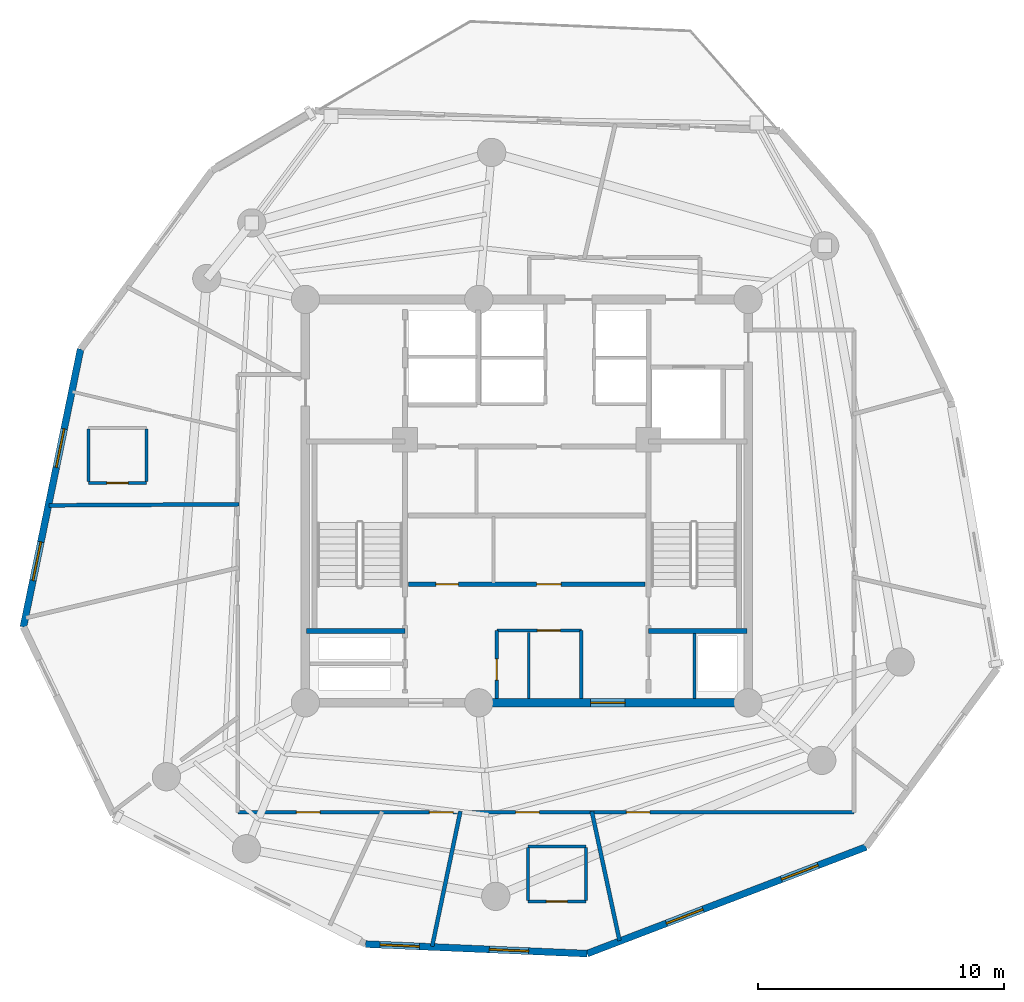
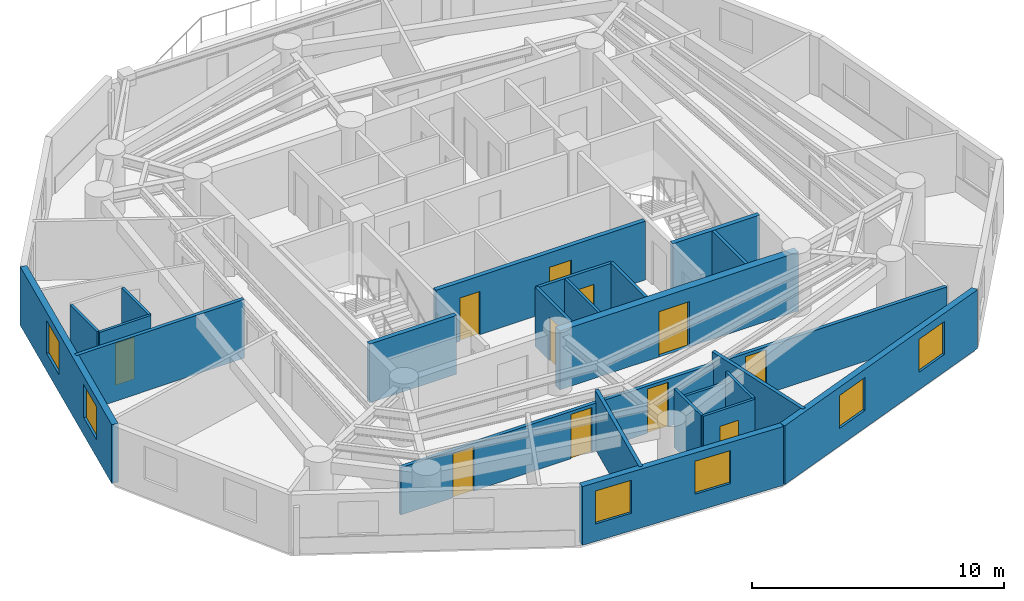
# One storey, part 3 of 8: 23 walls, 11 doors, 6 windows, 17 openings.
"""IFC4 building model written with IfcOpenShell, lengths in metres."""

from ifc_helpers import new_model, si_unit, direction, frame, frame_2d, origin, origin_with_axes, place, context, subcontext, project, spatial, rectangle, extrude, source, transform, mapped, material, layer, layer_set, type_object, element, fill, save


model = new_model("IFC4")

# Units and contexts
model_context = context("Model", 3, precision=1e-05, world=origin(), true_north=direction((0.0, 1.0)))
body_context = subcontext(model_context, "Body", "Model", "MODEL_VIEW")
ifc_project = project(units=[si_unit("LENGTHUNIT", "METRE"), si_unit("AREAUNIT", "SQUARE_METRE"), si_unit("VOLUMEUNIT", "CUBIC_METRE"), si_unit("PLANEANGLEUNIT", "RADIAN"), si_unit("MASSUNIT", "GRAM", prefix="KILO")], contexts=[model_context])

# Site, building, storey
site_placement = place(None, origin())
site = spatial("IfcSite", under=ifc_project, at=site_placement, CompositionType="ELEMENT")
building_placement = place(site_placement, origin())
building = spatial("IfcBuilding", under=site, at=building_placement, Name="Karkom Vertical University and Central Library", CompositionType="ELEMENT")
storey_placement = place(building_placement, frame((0.0, 0.0, 250.449951171875)))
storey = spatial("IfcBuildingStorey", under=building, at=storey_placement, Name="L74", CompositionType="ELEMENT", Elevation=250.449951171875)

# Wall, openings, windows
ifc_material_1 = material(Name="Brick-faced precast concrete C45/55", Category="masonry")
ifc_layer_1 = layer(ifc_material_1, 0.280029296875)
ifc_layer_set_1 = layer_set([ifc_layer_1], Name="Brick-faced precast concrete C45/55")
wall_type_1 = type_object("IfcWallType", Name="ENV-WL-BRK-280", PredefinedType="SOLIDWALL", material=ifc_layer_set_1)
wall_1_placement = place(storey_placement, frame((21.9501953125, 8.4892578125, 0.0), z_axis=(0.0, 0.0, 1.0), x_axis=(0.999077856383, -0.042935263879, 0.0)))
wall_1 = element("IfcWall", 1, at=wall_1_placement, inside=storey, type_object=wall_type_1, Name="Level 74 Brick-Faced Precast Facade Wall 02", PredefinedType="SOLIDWALL", context=body_context, shape_type="SweptSolid", body=[
    extrude(rectangle(XDim=9.0126953125, YDim=0.280029296875, at=frame_2d((4.50634765625, 0.0))), origin(), (0.0, 0.0, 1.0), 2.85009765625),
])
opening_1_placement = place(wall_1_placement, frame((0.585205078125, 0.0, 0.85009765625)))
opening_1 = element("IfcOpeningElement", 2, at=opening_1_placement, cuts=wall_1, Name="Opening WN-10", PredefinedType="OPENING", context=body_context, shape_type="SweptSolid", body=[
    extrude(rectangle(XDim=1.60009765625, YDim=1.60009765625, at=frame_2d((0.800048828125, 0.800048828125))), frame((0.0, 0.14990234375, 0.0), z_axis=(0.0, -1.0, 0.0), x_axis=(1.0, 0.0, 0.0)), (0.0, 0.0, 1.0), 0.300048828125),
])
opening_2_placement = place(wall_1_placement, frame((5.031494140625, 0.0, 0.85009765625)))
opening_2 = element("IfcOpeningElement", 3, at=opening_2_placement, cuts=wall_1, Name="Opening WN-10", PredefinedType="OPENING", context=body_context, shape_type="SweptSolid", body=[
    extrude(rectangle(XDim=1.60009765625, YDim=1.60009765625, at=frame_2d((0.800048828125, 0.800048828125))), frame((0.0, 0.14990234375, 0.0), z_axis=(0.0, -1.0, 0.0), x_axis=(1.0, 0.0, 0.0)), (0.0, 0.0, 1.0), 0.300048828125),
])
ifc_material_2 = material(Name="Aluminium thermal-break frame with solar-control IGU", Category="aluminium")
window_type = type_object("IfcWindowType", Name="ENV-WIN-WN-10", PartitioningType="SINGLE_PANEL", PredefinedType="WINDOW", material=ifc_material_2)
shared_shape_1 = source(origin_with_axes(), body_context, "Body", "SweptSolid", [
    extrude(rectangle(XDim=1.60009765625, YDim=1.60009765625, at=frame_2d((0.800048828125, 0.800048828125))), frame((0.0, 0.030029296875, 0.0), z_axis=(0.0, -1.0, 0.0), x_axis=(1.0, 0.0, 0.0)), (0.0, 0.0, 1.0), 0.06005859375),
])
window_1_placement = place(opening_1_placement, origin())
window_1 = element("IfcWindow", 4, at=window_1_placement, inside=storey, type_object=window_type, Name="Level 74 Punched Window 2.1", OverallHeight=1.60009765625, OverallWidth=1.60009765625, PartitioningType="SINGLE_PANEL", PredefinedType="WINDOW", context=body_context, shape_type="MappedRepresentation", body=[
    mapped(shared_shape_1, transform((0.0, 0.0, 0.0), scale=1.0)),
])
fill(opening_1, window_1)
window_2_placement = place(opening_2_placement, origin())
window_2 = element("IfcWindow", 5, at=window_2_placement, inside=storey, type_object=window_type, Name="Level 74 Punched Window 2.2", OverallHeight=1.60009765625, OverallWidth=1.60009765625, PartitioningType="SINGLE_PANEL", PredefinedType="WINDOW", context=body_context, shape_type="MappedRepresentation", body=[
    mapped(shared_shape_1, transform((0.0, 0.0, 0.0), scale=1.0)),
])
fill(opening_2, window_2)

wall_2_placement = place(storey_placement, frame((30.95458984375, 8.102294921875, 0.0), z_axis=(0.0, 0.0, 1.0), x_axis=(0.934050651189, 0.357140561984, 0.0)))
wall_2 = element("IfcWall", 6, at=wall_2_placement, inside=storey, type_object=wall_type_1, Name="Level 74 Brick-Faced Precast Facade Wall 03", PredefinedType="SOLIDWALL", context=body_context, shape_type="SweptSolid", body=[
    extrude(rectangle(XDim=12.14208984375, YDim=0.280029296875, at=frame_2d((6.071044921875, 0.0))), origin(), (0.0, 0.0, 1.0), 2.85009765625),
])
opening_3_placement = place(wall_2_placement, frame((3.44873046875, 0.0, 0.85009765625)))
opening_3 = element("IfcOpeningElement", 7, at=opening_3_placement, cuts=wall_2, Name="Opening WN-10", PredefinedType="OPENING", context=body_context, shape_type="SweptSolid", body=[
    extrude(rectangle(XDim=1.60009765625, YDim=1.60009765625, at=frame_2d((0.800048828125, 0.800048828125))), frame((0.0, 0.14990234375, 0.0), z_axis=(0.0, -1.0, 0.0), x_axis=(1.0, 0.0, 0.0)), (0.0, 0.0, 1.0), 0.300048828125),
])
opening_4_placement = place(wall_2_placement, frame((8.457763671875, 0.0, 0.85009765625)))
opening_4 = element("IfcOpeningElement", 8, at=opening_4_placement, cuts=wall_2, Name="Opening WN-10", PredefinedType="OPENING", context=body_context, shape_type="SweptSolid", body=[
    extrude(rectangle(XDim=1.60009765625, YDim=1.60009765625, at=frame_2d((0.800048828125, 0.800048828125))), frame((0.0, 0.14990234375, 0.0), z_axis=(0.0, -1.0, 0.0), x_axis=(1.0, 0.0, 0.0)), (0.0, 0.0, 1.0), 0.300048828125),
])
window_3_placement = place(opening_3_placement, origin())
window_3 = element("IfcWindow", 9, at=window_3_placement, inside=storey, type_object=window_type, Name="Level 74 Punched Window 3.1", OverallHeight=1.60009765625, OverallWidth=1.60009765625, PartitioningType="SINGLE_PANEL", PredefinedType="WINDOW", context=body_context, shape_type="MappedRepresentation", body=[
    mapped(shared_shape_1, transform((0.0, 0.0, 0.0), scale=1.0)),
])
fill(opening_3, window_3)
window_4_placement = place(opening_4_placement, origin())
window_4 = element("IfcWindow", 10, at=window_4_placement, inside=storey, type_object=window_type, Name="Level 74 Punched Window 3.2", OverallHeight=1.60009765625, OverallWidth=1.60009765625, PartitioningType="SINGLE_PANEL", PredefinedType="WINDOW", context=body_context, shape_type="MappedRepresentation", body=[
    mapped(shared_shape_1, transform((0.0, 0.0, 0.0), scale=1.0)),
])
fill(opening_4, window_4)

wall_3_placement = place(storey_placement, frame((10.359375, 32.680908203125, 0.0), z_axis=(0.0, 0.0, 1.0), x_axis=(-0.201738930334, -0.979439331448, 0.0)))
wall_3 = element("IfcWall", 11, at=wall_3_placement, inside=storey, type_object=wall_type_1, Name="Level 74 Brick-Faced Precast Facade Wall 11", PredefinedType="SOLIDWALL", context=body_context, shape_type="SweptSolid", body=[
    extrude(rectangle(XDim=11.532958984375, YDim=0.280029296875, at=frame_2d((5.7666015625, 0.0))), origin(), (0.0, 0.0, 1.0), 2.85009765625),
])
opening_5_placement = place(wall_3_placement, frame((3.30908203125, 0.0, 0.85009765625)))
opening_5 = element("IfcOpeningElement", 12, at=opening_5_placement, cuts=wall_3, Name="Opening WN-10", PredefinedType="OPENING", context=body_context, shape_type="SweptSolid", body=[
    extrude(rectangle(XDim=1.60009765625, YDim=1.60009765625, at=frame_2d((0.800048828125, 0.800048828125))), frame((0.0, 0.14990234375, 0.0), z_axis=(0.0, -1.0, 0.0), x_axis=(1.0, 0.0, 0.0)), (0.0, 0.0, 1.0), 0.300048828125),
])
opening_6_placement = place(wall_3_placement, frame((8.003662109375, 0.0, 0.85009765625)))
opening_6 = element("IfcOpeningElement", 13, at=opening_6_placement, cuts=wall_3, Name="Opening WN-10", PredefinedType="OPENING", context=body_context, shape_type="SweptSolid", body=[
    extrude(rectangle(XDim=1.60009765625, YDim=1.60009765625, at=frame_2d((0.800048828125, 0.800048828125))), frame((0.0, 0.14990234375, 0.0), z_axis=(0.0, -1.0, 0.0), x_axis=(1.0, 0.0, 0.0)), (0.0, 0.0, 1.0), 0.300048828125),
])
window_5_placement = place(opening_5_placement, origin())
window_5 = element("IfcWindow", 14, at=window_5_placement, inside=storey, type_object=window_type, Name="Level 74 Punched Window 11.1", OverallHeight=1.60009765625, OverallWidth=1.60009765625, PartitioningType="SINGLE_PANEL", PredefinedType="WINDOW", context=body_context, shape_type="MappedRepresentation", body=[
    mapped(shared_shape_1, transform((0.0, 0.0, 0.0), scale=1.0)),
])
fill(opening_5, window_5)
window_6_placement = place(opening_6_placement, origin())
window_6 = element("IfcWindow", 15, at=window_6_placement, inside=storey, type_object=window_type, Name="Level 74 Punched Window 11.2", OverallHeight=1.60009765625, OverallWidth=1.60009765625, PartitioningType="SINGLE_PANEL", PredefinedType="WINDOW", context=body_context, shape_type="MappedRepresentation", body=[
    mapped(shared_shape_1, transform((0.0, 0.0, 0.0), scale=1.0)),
])
fill(opening_6, window_6)

# Wall, openings, doors
ifc_material_3 = material(Name="Insulated metal-stud drywall 160mm", Category="gypsum")
ifc_layer_2 = layer(ifc_material_3, 0.159912109375)
ifc_layer_set_2 = layer_set([ifc_layer_2], Name="Insulated metal-stud drywall 160mm")
wall_type_2 = type_object("IfcWallType", Name="INT-WL-COR-160", PredefinedType="PARTITIONING", material=ifc_layer_set_2)
wall_4_placement = place(storey_placement, frame((41.800048828125, 13.85009765625, 0.0), z_axis=(0.0, 0.0, 1.0), x_axis=(-1.0, 0.0, 0.0)))
wall_4 = element("IfcWall", 16, at=wall_4_placement, inside=storey, type_object=wall_type_2, Name="Level 74 Interior Partition Wall L74-CORW-CW-001", PredefinedType="PARTITIONING", context=body_context, shape_type="SweptSolid", body=[
    extrude(rectangle(XDim=25.050048828125, YDim=0.159912109375, at=frame_2d((12.52490234375, 0.0))), origin(), (0.0, 0.0, 1.0), 2.300048828125),
])
opening_7_placement = place(wall_4_placement, frame((12.791015625, 0.0, 0.0)))
opening_7 = element("IfcOpeningElement", 17, at=opening_7_placement, cuts=wall_4, Name="Opening FD-RM2", PredefinedType="OPENING", context=body_context, shape_type="SweptSolid", body=[
    extrude(rectangle(XDim=0.9599609375, YDim=2.14990234375, at=frame_2d((0.47998046875, 1.074951171875))), frame((0.0, 0.08984375, 0.0), z_axis=(0.0, -1.0, 0.0), x_axis=(1.0, 0.0, 0.0)), (0.0, 0.0, 1.0), 0.179931640625),
])
opening_8_placement = place(wall_4_placement, frame((21.70361328125, 0.0, 0.0)))
opening_8 = element("IfcOpeningElement", 18, at=opening_8_placement, cuts=wall_4, Name="Opening FD-RM2", PredefinedType="OPENING", context=body_context, shape_type="SweptSolid", body=[
    extrude(rectangle(XDim=0.9599609375, YDim=2.14990234375, at=frame_2d((0.47998046875, 1.074951171875))), frame((0.0, 0.08984375, 0.0), z_axis=(0.0, -1.0, 0.0), x_axis=(1.0, 0.0, 0.0)), (0.0, 0.0, 1.0), 0.179931640625),
])
opening_9_placement = place(wall_4_placement, frame((16.297607421875, 0.0, 0.0)))
opening_9 = element("IfcOpeningElement", 19, at=opening_9_placement, cuts=wall_4, Name="Opening FD-RM2", PredefinedType="OPENING", context=body_context, shape_type="SweptSolid", body=[
    extrude(rectangle(XDim=0.9599609375, YDim=2.14990234375, at=frame_2d((0.47998046875, 1.074951171875))), frame((0.0, 0.08984375, 0.0), z_axis=(0.0, -1.0, 0.0), x_axis=(1.0, 0.0, 0.0)), (0.0, 0.0, 1.0), 0.179931640625),
])
opening_10_placement = place(wall_4_placement, frame((8.29248046875, 0.0, 0.0)))
opening_10 = element("IfcOpeningElement", 20, at=opening_10_placement, cuts=wall_4, Name="Opening FD-RM2", PredefinedType="OPENING", context=body_context, shape_type="SweptSolid", body=[
    extrude(rectangle(XDim=0.9599609375, YDim=2.14990234375, at=frame_2d((0.47998046875, 1.074951171875))), frame((0.0, 0.08984375, 0.0), z_axis=(0.0, -1.0, 0.0), x_axis=(1.0, 0.0, 0.0)), (0.0, 0.0, 1.0), 0.179931640625),
])
ifc_material_4 = material(Name="Fire-rated oak veneer door", Category="wood")
door_type_1 = type_object("IfcDoorType", Name="INT-DR-FRM2", OperationType="NOTDEFINED", PredefinedType="DOOR", material=ifc_material_4)
shared_shape_2 = source(origin_with_axes(), body_context, "Body", "SweptSolid", [
    extrude(rectangle(XDim=0.9599609375, YDim=2.14990234375, at=frame_2d((0.47998046875, 1.074951171875))), frame((0.0, 0.02490234375, 0.0), z_axis=(0.0, -1.0, 0.0), x_axis=(1.0, 0.0, 0.0)), (0.0, 0.0, 1.0), 0.050048828125),
])
door_1_placement = place(opening_7_placement, origin())
door_1 = element("IfcDoor", 21, at=door_1_placement, inside=storey, type_object=door_type_1, Name="Level 74 Room Entry Door 408", OperationType="SINGLE_SWING_LEFT", OverallHeight=2.14990234375, OverallWidth=0.9599609375, PredefinedType="DOOR", context=body_context, shape_type="MappedRepresentation", body=[
    mapped(shared_shape_2, transform((0.0, 0.0, 0.0), scale=1.0)),
])
fill(opening_7, door_1)
door_2_placement = place(opening_8_placement, origin())
door_2 = element("IfcDoor", 22, at=door_2_placement, inside=storey, type_object=door_type_1, Name="Level 74 Room Entry Door 302", OperationType="SINGLE_SWING_LEFT", OverallHeight=2.14990234375, OverallWidth=0.9599609375, PredefinedType="DOOR", context=body_context, shape_type="MappedRepresentation", body=[
    mapped(shared_shape_2, transform((0.0, 0.0, 0.0), scale=1.0)),
])
fill(opening_8, door_2)
door_3_placement = place(opening_9_placement, origin())
door_3 = element("IfcDoor", 23, at=door_3_placement, inside=storey, type_object=door_type_1, Name="Level 74 Room Entry Door 303", OperationType="SINGLE_SWING_RIGHT", OverallHeight=2.14990234375, OverallWidth=0.9599609375, PredefinedType="DOOR", context=body_context, shape_type="MappedRepresentation", body=[
    mapped(shared_shape_2, transform((0.0, 0.0, 0.0), scale=1.0)),
])
fill(opening_9, door_3)
door_4_placement = place(opening_10_placement, origin())
door_4 = element("IfcDoor", 24, at=door_4_placement, inside=storey, type_object=door_type_1, Name="Level 74 Room Entry Door 305", OperationType="SINGLE_SWING_LEFT", OverallHeight=2.14990234375, OverallWidth=0.9599609375, PredefinedType="DOOR", context=body_context, shape_type="MappedRepresentation", body=[
    mapped(shared_shape_2, transform((0.0, 0.0, 0.0), scale=1.0)),
])
fill(opening_10, door_4)

# Walls
wall_5_placement = place(storey_placement, frame((9.077880859375, 26.327880859375, 0.0), z_axis=(0.0, 0.0, 1.0), x_axis=(0.999983242382, 0.005789210166, 0.0)))
element("IfcWall", 25, at=wall_5_placement, inside=storey, type_object=wall_type_2, Name="Level 74 Interior Partition Wall L74-PW-002", PredefinedType="PARTITIONING", context=body_context, shape_type="SweptSolid", body=[
    extrude(rectangle(XDim=7.717529296875, YDim=0.159912109375, at=frame_2d((3.85888671875, 0.0))), origin(), (0.0, 0.0, 1.0), 2.85009765625),
])
wall_6_placement = place(storey_placement, frame((25.802490234375, 13.89404296875, 0.0), z_axis=(0.0, 0.0, 1.0), x_axis=(-0.204730419628, -0.978818397497, 0.0)))
element("IfcWall", 26, at=wall_6_placement, inside=storey, type_object=wall_type_2, Name="Level 74 Interior Partition Wall L74-PW-006", PredefinedType="PARTITIONING", context=body_context, shape_type="SweptSolid", body=[
    extrude(rectangle(XDim=5.6142578125, YDim=0.159912109375, at=frame_2d((2.80712890625, 0.0))), origin(), (0.0, 0.0, 1.0), 2.85009765625),
])
wall_7_placement = place(storey_placement, frame((31.142578125, 13.89404296875, 0.0), z_axis=(0.0, 0.0, 1.0), x_axis=(0.209708802078, -0.9777638868, 0.0)))
element("IfcWall", 27, at=wall_7_placement, inside=storey, type_object=wall_type_2, Name="Level 74 Interior Partition Wall L74-PW-007", PredefinedType="PARTITIONING", context=body_context, shape_type="SweptSolid", body=[
    extrude(rectangle(XDim=5.380859375, YDim=0.159912109375, at=frame_2d((2.6904296875, 0.0))), origin(), (0.0, 0.0, 1.0), 2.85009765625),
])
ifc_material_5 = material(Name="Moisture-resistant drywall 120mm", Category="gypsum")
ifc_layer_3 = layer(ifc_material_5, 0.1201171875)
ifc_layer_set_3 = layer_set([ifc_layer_3], Name="Moisture-resistant drywall 120mm")
wall_type_3 = type_object("IfcWallType", Name="INT-WL-INT-120", PredefinedType="PARTITIONING", material=ifc_layer_set_3)
wall_8_placement = place(storey_placement, frame((28.580078125, 18.48193359375, 0.0), z_axis=(0.0, 0.0, 1.0), x_axis=(0.0, 1.0, 0.0)))
element("IfcWall", 28, at=wall_8_placement, inside=storey, type_object=wall_type_3, Name="Level 74 Interior Partition Wall L74-CW-K2-DIV", PredefinedType="PARTITIONING", context=body_context, shape_type="SweptSolid", body=[
    extrude(rectangle(XDim=2.687255859375, YDim=0.1201171875, at=frame_2d((1.34375, 0.0))), origin(), (0.0, 0.0, 1.0), 2.85009765625),
])

# Wall, opening, door
ifc_layer_4 = layer(ifc_material_5, 0.1201171875)
ifc_layer_set_4 = layer_set([ifc_layer_4], Name="Moisture-resistant drywall 120mm")
wall_type_4 = type_object("IfcWallType", Name="INT-WL-INT-120F", PredefinedType="PARTITIONING", material=ifc_layer_set_4)
wall_9_placement = place(storey_placement, frame((10.677001953125, 27.240966796875, 0.0), z_axis=(0.0, 0.0, 1.0), x_axis=(1.0, 0.0, 0.0)))
wall_9 = element("IfcWall", 29, at=wall_9_placement, inside=storey, type_object=wall_type_4, Name="Level 74 Interior Partition Wall L74-ENS-50-S", PredefinedType="PARTITIONING", context=body_context, shape_type="SweptSolid", body=[
    extrude(rectangle(XDim=2.360107421875, YDim=0.1201171875, at=frame_2d((1.18017578125, 0.0))), origin(), (0.0, 0.0, 1.0), 2.85009765625),
])
opening_11_placement = place(wall_9_placement, frame((0.75, 0.0, 0.0)))
opening_11 = element("IfcOpeningElement", 30, at=opening_11_placement, cuts=wall_9, Name="Opening D-BTH2", PredefinedType="OPENING", context=body_context, shape_type="SweptSolid", body=[
    extrude(rectangle(XDim=0.860107421875, YDim=2.0400390625, at=frame_2d((0.43017578125, 1.02001953125))), frame((0.0, 0.070068359375, 0.0), z_axis=(0.0, -1.0, 0.0), x_axis=(1.0, 0.0, 0.0)), (0.0, 0.0, 1.0), 0.14013671875),
])
ifc_material_6 = material(Name="Moisture-resistant oak door", Category="wood")
door_type_2 = type_object("IfcDoorType", Name="INT-DR-DBTH2", OperationType="NOTDEFINED", PredefinedType="DOOR", material=ifc_material_6)
shared_shape_3 = source(origin_with_axes(), body_context, "Body", "SweptSolid", [
    extrude(rectangle(XDim=0.860107421875, YDim=2.0400390625, at=frame_2d((0.43017578125, 1.02001953125))), frame((0.0, 0.02490234375, 0.0), z_axis=(0.0, -1.0, 0.0), x_axis=(1.0, 0.0, 0.0)), (0.0, 0.0, 1.0), 0.050048828125),
])
door_5_placement = place(opening_11_placement, origin())
door_5 = element("IfcDoor", 31, at=door_5_placement, inside=storey, type_object=door_type_2, Name="Level 74 En-Suite Bathroom Door 50", OperationType="SINGLE_SWING_RIGHT", OverallHeight=2.0400390625, OverallWidth=0.860107421875, PredefinedType="DOOR", context=body_context, shape_type="MappedRepresentation", body=[
    mapped(shared_shape_3, transform((0.0, 0.0, 0.0), scale=1.0)),
])
fill(opening_11, door_5)

wall_10_placement = place(storey_placement, frame((28.5439453125, 10.220947265625, 0.0), z_axis=(0.0, 0.0, 1.0), x_axis=(1.0, 0.0, 0.0)))
wall_10 = element("IfcWall", 32, at=wall_10_placement, inside=storey, type_object=wall_type_4, Name="Level 74 Interior Partition Wall L74-ENS-44-S", PredefinedType="PARTITIONING", context=body_context, shape_type="SweptSolid", body=[
    extrude(rectangle(XDim=2.360107421875, YDim=0.1201171875, at=frame_2d((1.18017578125, 0.0))), origin(), (0.0, 0.0, 1.0), 2.85009765625),
])
opening_12_placement = place(wall_10_placement, frame((0.75, 0.0, 0.0)))
opening_12 = element("IfcOpeningElement", 33, at=opening_12_placement, cuts=wall_10, Name="Opening D-BATH", PredefinedType="OPENING", context=body_context, shape_type="SweptSolid", body=[
    extrude(rectangle(XDim=0.860107421875, YDim=2.10009765625, at=frame_2d((0.43017578125, 1.050048828125))), frame((0.0, 0.070068359375, 0.0), z_axis=(0.0, -1.0, 0.0), x_axis=(1.0, 0.0, 0.0)), (0.0, 0.0, 1.0), 0.14013671875),
])
door_type_3 = type_object("IfcDoorType", Name="INT-DR-BATH", OperationType="NOTDEFINED", PredefinedType="DOOR", material=ifc_material_6)
shared_shape_4 = source(origin_with_axes(), body_context, "Body", "SweptSolid", [
    extrude(rectangle(XDim=0.860107421875, YDim=2.10009765625, at=frame_2d((0.43017578125, 1.050048828125))), frame((0.0, 0.02490234375, 0.0), z_axis=(0.0, -1.0, 0.0), x_axis=(1.0, 0.0, 0.0)), (0.0, 0.0, 1.0), 0.050048828125),
])
door_6_placement = place(opening_12_placement, origin())
door_6 = element("IfcDoor", 34, at=door_6_placement, inside=storey, type_object=door_type_3, Name="Level 74 En-Suite Bathroom Door 44", OperationType="SINGLE_SWING_RIGHT", OverallHeight=2.10009765625, OverallWidth=0.860107421875, PredefinedType="DOOR", context=body_context, shape_type="MappedRepresentation", body=[
    mapped(shared_shape_4, transform((0.0, 0.0, 0.0), scale=1.0)),
])
fill(opening_12, door_6)

# Walls
wall_11_placement = place(storey_placement, frame((30.904052734375, 12.4609375, 0.0), z_axis=(0.0, 0.0, 1.0), x_axis=(-1.0, 0.0, 0.0)))
element("IfcWall", 35, at=wall_11_placement, inside=storey, type_object=wall_type_4, Name="Level 74 Interior Partition Wall L74-ENS-44-N", PredefinedType="PARTITIONING", context=body_context, shape_type="SweptSolid", body=[
    extrude(rectangle(XDim=2.360107421875, YDim=0.1201171875, at=frame_2d((1.18017578125, 0.0))), origin(), (0.0, 0.0, 1.0), 2.300048828125),
])
for number, where, z_axis, x_axis, name in (
    (36, (13.037109375, 27.291015625, 0.0), (0.0, 0.0, 1.0), (0.0, 1.0, 0.0), "Level 74 Interior Partition Wall L74-ENS-50-E"),
    (37, (10.677001953125, 29.430908203125, 0.0), (0.0, 0.0, 1.0), (0.0, -1.0, 0.0), "Level 74 Interior Partition Wall L74-ENS-50-W"),
    (38, (30.904052734375, 10.27099609375, 0.0), (0.0, 0.0, 1.0), (0.0, 1.0, 0.0), "Level 74 Interior Partition Wall L74-ENS-44-E"),
    (39, (28.5439453125, 12.410888671875, 0.0), (0.0, 0.0, 1.0), (0.0, -1.0, 0.0), "Level 74 Interior Partition Wall L74-ENS-44-W"),
):
    element("IfcWall", number, at=place(storey_placement, frame(where, z_axis=z_axis, x_axis=x_axis)), inside=storey, type_object=wall_type_4, Name=name, PredefinedType="PARTITIONING", context=body_context, shape_type="SweptSolid", body=[
        extrude(rectangle(XDim=2.139892578125, YDim=0.1201171875, at=frame_2d((1.06982421875, 0.0))), origin(), (0.0, 0.0, 1.0), 2.85009765625),
    ])

# Wall, opening, door
ifc_material_7 = material(Name="Metal-stud gypsum partition 140mm", Category="gypsum")
ifc_layer_5 = layer(ifc_material_7, 0.139892578125)
ifc_layer_set_5 = layer_set([ifc_layer_5], Name="Metal-stud gypsum partition 140mm")
wall_type_5 = type_object("IfcWallType", Name="INT-WL-SUB-140", PredefinedType="PARTITIONING", material=ifc_layer_set_5)
wall_12_placement = place(storey_placement, frame((27.280029296875, 21.239990234375, 0.0), z_axis=(0.0, 0.0, 1.0), x_axis=(1.0, 0.0, 0.0)))
wall_12 = element("IfcWall", 40, at=wall_12_placement, inside=storey, type_object=wall_type_5, Name="Level 74 Interior Partition Wall L74-CW-KBAY-N", PredefinedType="PARTITIONING", context=body_context, shape_type="SweptSolid", body=[
    extrude(rectangle(XDim=3.43994140625, YDim=0.139892578125, at=frame_2d((1.719970703125, 0.0))), origin(), (0.0, 0.0, 1.0), 2.85009765625),
])
opening_13_placement = place(wall_12_placement, frame((1.64990234375, 0.0, 0.0)))
opening_13 = element("IfcOpeningElement", 41, at=opening_13_placement, cuts=wall_12, Name="Opening D-WC1", PredefinedType="OPENING", context=body_context, shape_type="SweptSolid", body=[
    extrude(rectangle(XDim=0.93994140625, YDim=2.10009765625, at=frame_2d((0.469970703125, 1.050048828125))), frame((0.0, 0.080078125, 0.0), z_axis=(0.0, -1.0, 0.0), x_axis=(1.0, 0.0, 0.0)), (0.0, 0.0, 1.0), 0.159912109375),
])
ifc_material_8 = material(Name="Fire-rated laminate moisture-resistant door", Category="wood")
door_type_4 = type_object("IfcDoorType", Name="INT-DR-WC1", OperationType="NOTDEFINED", PredefinedType="DOOR", material=ifc_material_8)
shared_shape_5 = source(origin_with_axes(), body_context, "Body", "SweptSolid", [
    extrude(rectangle(XDim=0.93994140625, YDim=2.10009765625, at=frame_2d((0.469970703125, 1.050048828125))), frame((0.0, 0.02490234375, 0.0), z_axis=(0.0, -1.0, 0.0), x_axis=(1.0, 0.0, 0.0)), (0.0, 0.0, 1.0), 0.050048828125),
])
door_7_placement = place(opening_13_placement, origin())
door_7 = element("IfcDoor", 42, at=door_7_placement, inside=storey, type_object=door_type_4, Name="Level 74 Staff WC Door", OperationType="SINGLE_SWING_RIGHT", OverallHeight=2.10009765625, OverallWidth=0.93994140625, PredefinedType="DOOR", context=body_context, shape_type="MappedRepresentation", body=[
    mapped(shared_shape_5, transform((0.0, 0.0, 0.0), scale=1.0)),
])
fill(opening_13, door_7)

wall_13_placement = place(storey_placement, frame((27.280029296875, 18.48193359375, 0.0), z_axis=(0.0, 0.0, 1.0), x_axis=(0.0, 1.0, 0.0)))
wall_13 = element("IfcWall", 43, at=wall_13_placement, inside=storey, type_object=wall_type_5, Name="Level 74 Interior Partition Wall L74-CW-KBAY-W", PredefinedType="PARTITIONING", context=body_context, shape_type="SweptSolid", body=[
    extrude(rectangle(XDim=2.758056640625, YDim=0.139892578125, at=frame_2d((1.37890625, 0.0))), origin(), (0.0, 0.0, 1.0), 2.85009765625),
])
opening_14_placement = place(wall_13_placement, frame((0.739990234375, 0.0, 0.0)))
opening_14 = element("IfcOpeningElement", 44, at=opening_14_placement, cuts=wall_13, Name="Opening D-BATH", PredefinedType="OPENING", context=body_context, shape_type="SweptSolid", body=[
    extrude(rectangle(XDim=0.860107421875, YDim=2.10009765625, at=frame_2d((0.43017578125, 1.050048828125))), frame((0.0, 0.080078125, 0.0), z_axis=(0.0, -1.0, 0.0), x_axis=(1.0, 0.0, 0.0)), (0.0, 0.0, 1.0), 0.159912109375),
])
door_8_placement = place(opening_14_placement, origin())
door_8 = element("IfcDoor", 45, at=door_8_placement, inside=storey, type_object=door_type_3, Name="Level 74 Cleaners Store Door", OperationType="SINGLE_SWING_LEFT", OverallHeight=2.10009765625, OverallWidth=0.860107421875, PredefinedType="DOOR", context=body_context, shape_type="MappedRepresentation", body=[
    mapped(shared_shape_4, transform((0.0, 0.0, 0.0), scale=1.0)),
])
fill(opening_14, door_8)

# Walls
wall_14_placement = place(storey_placement, frame((30.719970703125, 18.48193359375, 0.0), z_axis=(0.0, 0.0, 1.0), x_axis=(0.0, 1.0, 0.0)))
element("IfcWall", 46, at=wall_14_placement, inside=storey, type_object=wall_type_5, Name="Level 74 Interior Partition Wall L74-CW-KBAY-E", PredefinedType="PARTITIONING", context=body_context, shape_type="SweptSolid", body=[
    extrude(rectangle(XDim=2.758056640625, YDim=0.139892578125, at=frame_2d((1.37890625, 0.0))), origin(), (0.0, 0.0, 1.0), 2.85009765625),
])
ifc_layer_6 = layer(ifc_material_7, 0.139892578125)
ifc_layer_set_6 = layer_set([ifc_layer_6], Name="Metal-stud gypsum partition 140mm")
wall_type_6 = type_object("IfcWallType", Name="INT-WL-SUB-140H", PredefinedType="PARTITIONING", material=ifc_layer_set_6)
wall_15_placement = place(storey_placement, frame((35.320068359375, 18.48193359375, 0.0), z_axis=(0.0, 0.0, 1.0), x_axis=(0.0, 1.0, 0.0)))
element("IfcWall", 47, at=wall_15_placement, inside=storey, type_object=wall_type_6, Name="Level 74 Interior Partition Wall L74-CW-RIS-E", PredefinedType="PARTITIONING", context=body_context, shape_type="SweptSolid", body=[
    extrude(rectangle(XDim=2.629150390625, YDim=0.139892578125, at=frame_2d((1.314453125, 0.0))), origin(), (0.0, 0.0, 1.0), 2.85009765625),
])

# Wall, opening, door
ifc_material_9 = material(Name="Concrete C45/55", Category="concrete")
ifc_layer_7 = layer(ifc_material_9, 0.35009765625)
ifc_layer_set_7 = layer_set([ifc_layer_7], Name="Concrete C45/55")
wall_type_7 = type_object("IfcWallType", Name="STR-WL-CW-350", PredefinedType="SHEAR", material=ifc_layer_set_7)
wall_16_placement = place(storey_placement, frame((26.550048828125, 18.300048828125, 0.0), z_axis=(0.0, 0.0, 1.0), x_axis=(1.0, 0.0, 0.0)))
wall_16 = element("IfcWall", 48, at=wall_16_placement, inside=storey, type_object=wall_type_7, Name="Level 74 Central Core Shear Wall SW2", PredefinedType="SHEAR", context=body_context, shape_type="SweptSolid", body=[
    extrude(rectangle(XDim=10.949951171875, YDim=0.35009765625, at=frame_2d((5.47509765625, 0.0))), origin(), (0.0, 0.0, 1.0), 2.85009765625),
])
opening_15_placement = place(wall_16_placement, frame((4.550048828125, 0.0, 0.0)))
opening_15 = element("IfcOpeningElement", 49, at=opening_15_placement, cuts=wall_16, Name="Opening FD-CLB", PredefinedType="OPENING", context=body_context, shape_type="SweptSolid", body=[
    extrude(rectangle(XDim=1.39990234375, YDim=2.199951171875, at=frame_2d((0.699951171875, 1.10009765625))), frame((0.0, 0.18505859375, 0.0), z_axis=(0.0, -1.0, 0.0), x_axis=(1.0, 0.0, 0.0)), (0.0, 0.0, 1.0), 0.3701171875),
])
ifc_material_10 = material(Name="Painted steel fire door", Category="steel")
door_type_5 = type_object("IfcDoorType", Name="INT-DR-CLB", OperationType="DOUBLE_DOOR_SINGLE_SWING", PredefinedType="DOOR", material=ifc_material_10)
shared_shape_6 = source(origin_with_axes(), body_context, "Body", "SweptSolid", [
    extrude(rectangle(XDim=1.39990234375, YDim=2.199951171875, at=frame_2d((0.699951171875, 1.10009765625))), frame((0.0, 0.02490234375, 0.0), z_axis=(0.0, -1.0, 0.0), x_axis=(1.0, 0.0, 0.0)), (0.0, 0.0, 1.0), 0.050048828125),
])
door_9_placement = place(opening_15_placement, origin())
door_9 = element("IfcDoor", 50, at=door_9_placement, inside=storey, type_object=door_type_5, Name="Level 74 South Core Lobby East Exit Door", OperationType="DOUBLE_DOOR_SINGLE_SWING", OverallHeight=2.199951171875, OverallWidth=1.39990234375, PredefinedType="DOOR", context=body_context, shape_type="MappedRepresentation", body=[
    mapped(shared_shape_6, transform((0.0, 0.0, 0.0), scale=1.0)),
])
fill(opening_15, door_9)

# Wall, openings, doors
ifc_layer_8 = layer(ifc_material_9, 0.199951171875)
ifc_layer_set_8 = layer_set([ifc_layer_8], Name="Concrete C45/55")
wall_type_8 = type_object("IfcWallType", Name="STR-WL-ST-200", PredefinedType="SHEAR", material=ifc_layer_set_8)
wall_17_placement = place(storey_placement, frame((23.699951171875, 23.1201171875, 0.0), z_axis=(0.0, 0.0, 1.0), x_axis=(1.0, 0.0, 0.0)))
wall_17 = element("IfcWall", 51, at=wall_17_placement, inside=storey, type_object=wall_type_8, Name="Level 74 Core Shaft Wall L74-CW-B1-S", PredefinedType="SHEAR", context=body_context, shape_type="SweptSolid", body=[
    extrude(rectangle(XDim=9.60009765625, YDim=0.199951171875, at=frame_2d((4.800048828125, 0.0))), origin(), (0.0, 0.0, 1.0), 2.85009765625),
])
opening_16_placement = place(wall_17_placement, frame((1.10009765625, 0.0, 0.0)))
opening_16 = element("IfcOpeningElement", 52, at=opening_16_placement, cuts=wall_17, Name="Opening D-SVC1", PredefinedType="OPENING", context=body_context, shape_type="SweptSolid", body=[
    extrude(rectangle(XDim=0.919921875, YDim=2.10009765625, at=frame_2d((0.4599609375, 1.050048828125))), frame((0.0, 0.10986328125, 0.0), z_axis=(0.0, -1.0, 0.0), x_axis=(1.0, 0.0, 0.0)), (0.0, 0.0, 1.0), 0.219970703125),
])
opening_17_placement = place(wall_17_placement, frame((5.199951171875, 0.0, 0.0)))
opening_17 = element("IfcOpeningElement", 53, at=opening_17_placement, cuts=wall_17, Name="Opening D-STR1", PredefinedType="OPENING", context=body_context, shape_type="SweptSolid", body=[
    extrude(rectangle(XDim=1.0, YDim=2.14990234375, at=frame_2d((0.5, 1.074951171875))), frame((0.0, 0.10986328125, 0.0), z_axis=(0.0, -1.0, 0.0), x_axis=(1.0, 0.0, 0.0)), (0.0, 0.0, 1.0), 0.219970703125),
])
ifc_material_11 = material(Name="Painted timber service door", Category="wood")
door_type_6 = type_object("IfcDoorType", Name="INT-DR-SVC1", OperationType="NOTDEFINED", PredefinedType="DOOR", material=ifc_material_11)
shared_shape_7 = source(origin_with_axes(), body_context, "Body", "SweptSolid", [
    extrude(rectangle(XDim=0.919921875, YDim=2.10009765625, at=frame_2d((0.4599609375, 1.050048828125))), frame((0.0, 0.02490234375, 0.0), z_axis=(0.0, -1.0, 0.0), x_axis=(1.0, 0.0, 0.0)), (0.0, 0.0, 1.0), 0.050048828125),
])
door_10_placement = place(opening_16_placement, origin())
door_10 = element("IfcDoor", 54, at=door_10_placement, inside=storey, type_object=door_type_6, Name="Level 74 B1 West Store Door", OperationType="SINGLE_SWING_LEFT", OverallHeight=2.10009765625, OverallWidth=0.919921875, PredefinedType="DOOR", context=body_context, shape_type="MappedRepresentation", body=[
    mapped(shared_shape_7, transform((0.0, 0.0, 0.0), scale=1.0)),
])
fill(opening_16, door_10)
ifc_material_12 = material(Name="Solid-core hardwood fire door", Category="wood")
door_type_7 = type_object("IfcDoorType", Name="INT-DR-STR1", OperationType="NOTDEFINED", PredefinedType="DOOR", material=ifc_material_12)
shared_shape_8 = source(origin_with_axes(), body_context, "Body", "SweptSolid", [
    extrude(rectangle(XDim=1.0, YDim=2.14990234375, at=frame_2d((0.5, 1.074951171875))), frame((0.0, 0.02490234375, 0.0), z_axis=(0.0, -1.0, 0.0), x_axis=(1.0, 0.0, 0.0)), (0.0, 0.0, 1.0), 0.050048828125),
])
door_11_placement = place(opening_17_placement, origin())
door_11 = element("IfcDoor", 55, at=door_11_placement, inside=storey, type_object=door_type_7, Name="Level 74 B1 East Plant Door", OperationType="SINGLE_SWING_RIGHT", OverallHeight=2.14990234375, OverallWidth=1.0, PredefinedType="DOOR", context=body_context, shape_type="MappedRepresentation", body=[
    mapped(shared_shape_8, transform((0.0, 0.0, 0.0), scale=1.0)),
])
fill(opening_17, door_11)

# Walls
for number, where, z_axis, x_axis, name in (
    (56, (33.455078125, 21.215087890625, 0.0), (0.0, 0.0, 1.0), (1.0, 0.0, 0.0), "Level 74 Core Shaft Wall L74-CW-ST2-S"),
    (57, (19.550048828125, 21.215087890625, 0.0), (0.0, 0.0, 1.0), (1.0, 0.0, 0.0), "Level 74 Core Shaft Wall L74-CW-ST1-S"),
):
    element("IfcWall", number, at=place(storey_placement, frame(where, z_axis=z_axis, x_axis=x_axis)), inside=storey, type_object=wall_type_8, Name=name, PredefinedType="SHEAR", context=body_context, shape_type="SweptSolid", body=[
        extrude(rectangle(XDim=3.994873046875, YDim=0.199951171875, at=frame_2d((1.99755859375, 0.0))), origin(), (0.0, 0.0, 1.0), 2.85009765625),
    ])

save(model, "model.ifc")
